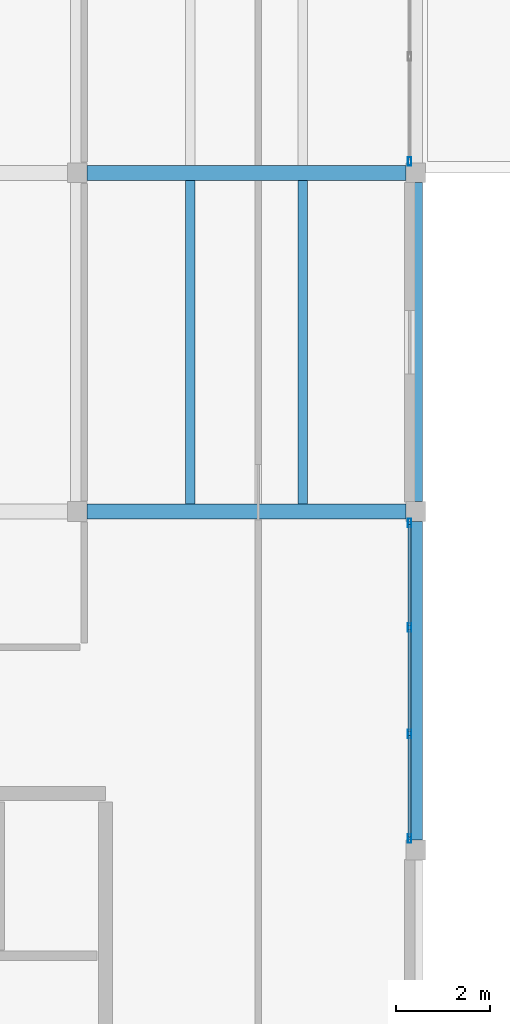
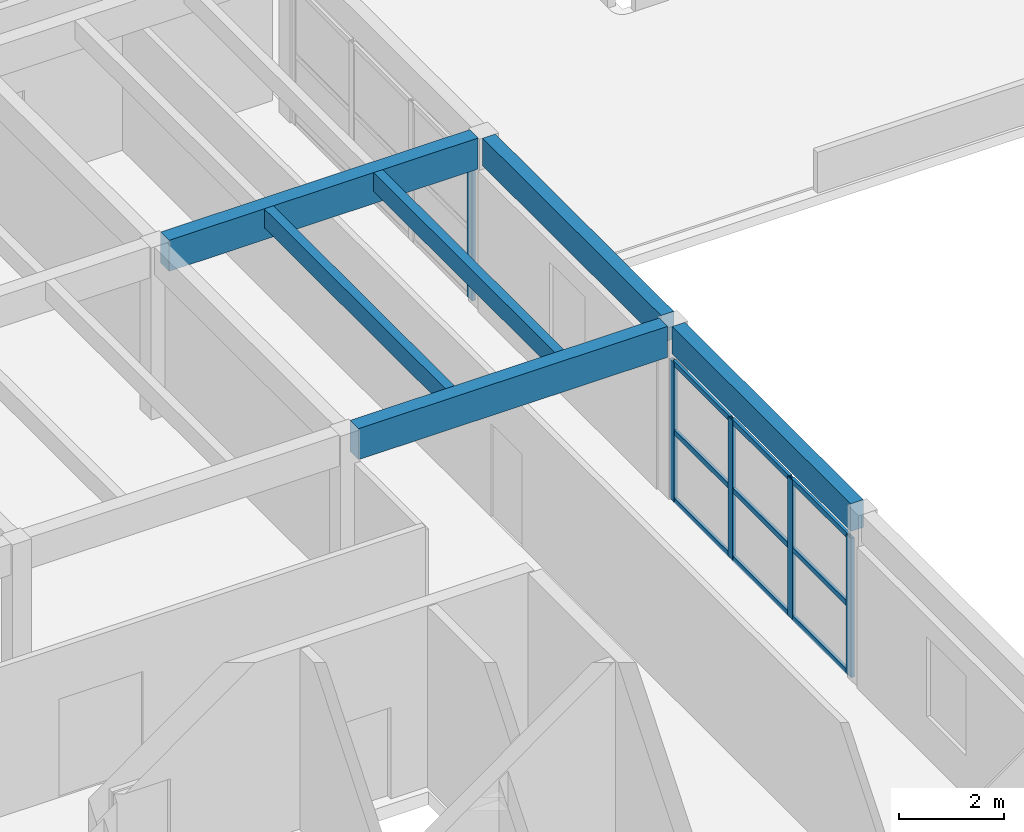
# One storey, part 12 of 68: 14 members, 6 beams, 2 elements without a shape of their own.
"""IFC4 building model written with IfcOpenShell, lengths in metres."""

from ifc_helpers import new_model, si_unit, direction, frame, origin, origin_2d, place, context, subcontext, project, spatial, rectangle, hollow_rectangle, extrude, material, material_profile, profile_set, type_object, element, aggregate, save


model = new_model("IFC4")

# Units and contexts
model_context = context("Model", 3, precision=1e-05, world=origin(), true_north=direction((0.0, 1.0)))
body_context = subcontext(model_context, "Body", "Model", "MODEL_VIEW")
ifc_project = project(units=[si_unit("LENGTHUNIT", "METRE"), si_unit("AREAUNIT", "SQUARE_METRE"), si_unit("VOLUMEUNIT", "CUBIC_METRE"), si_unit("PLANEANGLEUNIT", "RADIAN"), si_unit("MASSUNIT", "GRAM", prefix="KILO")], contexts=[model_context])

# Site, building, storey
site_placement = place(None, origin())
site = spatial("IfcSite", under=ifc_project, at=site_placement, CompositionType="ELEMENT")
building_placement = place(site_placement, origin())
building = spatial("IfcBuilding", under=site, at=building_placement, Name="Bramvelor Terrace Health Centre", CompositionType="ELEMENT")
storey_placement = place(building_placement, frame((0.0, 0.0, 9.300048828125)))
storey = spatial("IfcBuildingStorey", under=building, at=storey_placement, Name="L03", CompositionType="ELEMENT", Elevation=9.300048828125)

# Beams
ifc_material_1 = material(Name="Glulam GL28h", Category="wood")
ifc_material_profile_1 = material_profile(ifc_material_1, rectangle(XDim=0.280029296875, YDim=0.639892578125, at=origin_2d()), Name="GL 280x640")
ifc_profile_set_1 = profile_set([ifc_material_profile_1], Name="Glulam GL28h")
beam_type_1 = type_object("IfcBeamType", Name="BM-GL-G640", PredefinedType="BEAM", material=ifc_profile_set_1)
for number, where, z_axis, x_axis, name in (
    (1, (21.60009765625, 36.2099609375, 3.669921875), (0.0, 1.0, 0.0), (-1.0, 0.0, 0.0), "L03 Floor Girder"),
    (2, (21.60009765625, 43.409912109375, 3.669921875), (0.0, 1.0, 0.0), (-1.0, 0.0, 0.0), "L03 Floor Girder"),
):
    element("IfcBeam", number, at=place(storey_placement, frame(where, z_axis=z_axis, x_axis=x_axis)), inside=storey, type_object=beam_type_1, Name=name, PredefinedType="BEAM", context=body_context, shape_type="SweptSolid", body=[
        extrude(rectangle(XDim=0.280029296875, YDim=0.639892578125, at=origin_2d()), origin(), (0.0, 0.0, 1.0), 6.780029296875),
    ])
ifc_material_2 = material(Name="Glulam GL28h", Category="wood")
ifc_material_profile_2 = material_profile(ifc_material_2, rectangle(XDim=0.320068359375, YDim=0.719970703125, at=origin_2d()), Name="GL 320x720")
ifc_profile_set_2 = profile_set([ifc_material_profile_2], Name="Glulam GL28h")
beam_type_2 = type_object("IfcBeamType", Name="BM-GL-G720", PredefinedType="BEAM", material=ifc_profile_set_2)
for number, where, z_axis, x_axis, name in (
    (3, (14.610107421875, 43.199951171875, 3.6298828125), (1.0, 0.0, 0.0), (0.0, 1.0, 0.0), "L03 Floor Girder"),
    (4, (14.610107421875, 50.39990234375, 3.6298828125), (1.0, 0.0, 0.0), (0.0, 1.0, 0.0), "L03 Floor Girder"),
):
    element("IfcBeam", number, at=place(storey_placement, frame(where, z_axis=z_axis, x_axis=x_axis)), inside=storey, type_object=beam_type_2, Name=name, PredefinedType="BEAM", context=body_context, shape_type="SweptSolid", body=[
        extrude(rectangle(XDim=0.320068359375, YDim=0.719970703125, at=origin_2d()), origin(), (0.0, 0.0, 1.0), 6.77978515625),
    ])
ifc_material_3 = material(Name="Glulam GL28h", Category="wood")
ifc_material_profile_3 = material_profile(ifc_material_3, rectangle(XDim=0.199951171875, YDim=0.43994140625, at=origin_2d()), Name="GL 200x440")
ifc_profile_set_3 = profile_set([ifc_material_profile_3], Name="Glulam GL28h")
beam_type_3 = type_object("IfcBeamType", Name="BM-GL-J440", PredefinedType="JOIST", material=ifc_profile_set_3)
for number, where, z_axis, x_axis, name in (
    (5, (16.800048828125, 43.360107421875, 3.77001953125), (0.0, 1.0, 0.0), (-1.0, 0.0, 0.0), "L03 Secondary Floor Joist"),
    (6, (19.199951171875, 43.360107421875, 3.77001953125), (0.0, 1.0, 0.0), (-1.0, 0.0, 0.0), "L03 Secondary Floor Joist"),
):
    element("IfcBeam", number, at=place(storey_placement, frame(where, z_axis=z_axis, x_axis=x_axis)), inside=storey, type_object=beam_type_3, Name=name, PredefinedType="JOIST", context=body_context, shape_type="SweptSolid", body=[
        extrude(rectangle(XDim=0.199951171875, YDim=0.43994140625, at=origin_2d()), origin(), (0.0, 0.0, 1.0), 6.8798828125),
    ])

# Curtain wall, member
ifc_material_4 = material(Name="Anodized aluminium and double low-E glass", Category="aluminium")
curtain_wall_type = type_object("IfcCurtainWallType", Name="CW-SYS-27", PredefinedType="NOTDEFINED", material=ifc_material_4)
curtain_wall_1_placement = place(storey_placement, origin())
curtain_wall_1 = element("IfcCurtainWall", 7, at=curtain_wall_1_placement, inside=storey, type_object=curtain_wall_type, Name="L03 Unitized Curtain Wall 154", PredefinedType="NOTDEFINED")
ifc_material_5 = material(Name="Anodized aluminium 6063-T6", Category="aluminium")
ifc_material_profile_4 = material_profile(ifc_material_5, hollow_rectangle(XDim=0.074951171875, YDim=0.179931640625, WallThickness=0.00341796875, at=origin_2d()), Name="ALU-MUL 75x180x3.5")
ifc_profile_set_4 = profile_set([ifc_material_profile_4], Name="Anodized aluminium 6063-T6")
member_type_1 = type_object("IfcMemberType", Name="CW-MUL-65x180", PredefinedType="MULLION", material=ifc_profile_set_4)
member_1_placement = place(storey_placement, frame((21.469970703125, 50.642578125, 0.0), z_axis=(0.0, 0.0, 1.0), x_axis=(1.0, 0.0, 0.0)))
member_1 = element("IfcMember", 8, at=member_1_placement, type_object=member_type_1, Name="CW-27 mullion 4", PredefinedType="MULLION", context=body_context, shape_type="SweptSolid", body=[
    extrude(hollow_rectangle(XDim=0.074951171875, YDim=0.179931640625, WallThickness=0.00341796875, at=origin_2d()), origin(), (0.0, 0.0, 1.0), 3.22998046875),
])
aggregate(curtain_wall_1, [member_1])

# Curtain wall, members
curtain_wall_2_placement = place(storey_placement, origin())
curtain_wall_2 = element("IfcCurtainWall", 9, at=curtain_wall_2_placement, inside=storey, type_object=curtain_wall_type, Name="L03 Unitized Curtain Wall 155", PredefinedType="NOTDEFINED")
member_2_placement = place(storey_placement, frame((21.469970703125, 42.95751953125, 0.0), z_axis=(0.0, 0.0, 1.0), x_axis=(1.0, 0.0, 0.0)))
member_2 = element("IfcMember", 10, at=member_2_placement, type_object=member_type_1, Name="CW-27 mullion 1", PredefinedType="MULLION", context=body_context, shape_type="SweptSolid", body=[
    extrude(hollow_rectangle(XDim=0.074951171875, YDim=0.179931640625, WallThickness=0.00341796875, at=origin_2d()), origin(), (0.0, 0.0, 1.0), 3.22998046875),
])
member_3_placement = place(storey_placement, frame((21.469970703125, 40.731689453125, 0.0), z_axis=(0.0, 0.0, 1.0), x_axis=(1.0, 0.0, 0.0)))
member_3 = element("IfcMember", 11, at=member_3_placement, type_object=member_type_1, Name="CW-27 mullion 2", PredefinedType="MULLION", context=body_context, shape_type="SweptSolid", body=[
    extrude(hollow_rectangle(XDim=0.074951171875, YDim=0.179931640625, WallThickness=0.00341796875, at=origin_2d()), origin(), (0.0, 0.0, 1.0), 3.22998046875),
])
member_4_placement = place(storey_placement, frame((21.469970703125, 38.46826171875, 0.0), z_axis=(0.0, 0.0, 1.0), x_axis=(1.0, 0.0, 0.0)))
member_4 = element("IfcMember", 12, at=member_4_placement, type_object=member_type_1, Name="CW-27 mullion 3", PredefinedType="MULLION", context=body_context, shape_type="SweptSolid", body=[
    extrude(hollow_rectangle(XDim=0.074951171875, YDim=0.179931640625, WallThickness=0.00341796875, at=origin_2d()), origin(), (0.0, 0.0, 1.0), 3.22998046875),
])
member_5_placement = place(storey_placement, frame((21.469970703125, 36.242431640625, 0.0), z_axis=(0.0, 0.0, 1.0), x_axis=(1.0, 0.0, 0.0)))
member_5 = element("IfcMember", 13, at=member_5_placement, type_object=member_type_1, Name="CW-27 mullion 4", PredefinedType="MULLION", context=body_context, shape_type="SweptSolid", body=[
    extrude(hollow_rectangle(XDim=0.074951171875, YDim=0.179931640625, WallThickness=0.00341796875, at=origin_2d()), origin(), (0.0, 0.0, 1.0), 3.22998046875),
])
ifc_material_6 = material(Name="Anodized aluminium 6063-T6", Category="aluminium")
ifc_material_profile_5 = material_profile(ifc_material_6, hollow_rectangle(XDim=0.06494140625, YDim=0.1201171875, WallThickness=0.0029296875, at=origin_2d()), Name="ALU-TRN 65x120x3.0")
ifc_profile_set_5 = profile_set([ifc_material_profile_5], Name="Anodized aluminium 6063-T6")
member_type_2 = type_object("IfcMemberType", Name="CW-TRN-65x150", PredefinedType="USERDEFINED", material=ifc_profile_set_5)
member_6_placement = place(storey_placement, frame((21.469970703125, 42.919921875, 0.032470703125), z_axis=(0.0, -1.0, 0.0), x_axis=(1.0, 0.0, 0.0)))
member_6 = element("IfcMember", 14, at=member_6_placement, type_object=member_type_2, Name="CW-27 transom 1.1", ObjectType="TRANSOM", PredefinedType="USERDEFINED", context=body_context, shape_type="SweptSolid", body=[
    extrude(hollow_rectangle(XDim=0.06494140625, YDim=0.1201171875, WallThickness=0.0029296875, at=origin_2d()), origin(), (0.0, 0.0, 1.0), 2.150634765625),
])
member_7_placement = place(storey_placement, frame((21.469970703125, 42.919921875, 1.614990234375), z_axis=(0.0, -1.0, 0.0), x_axis=(1.0, 0.0, 0.0)))
member_7 = element("IfcMember", 15, at=member_7_placement, type_object=member_type_2, Name="CW-27 transom 1.2", ObjectType="TRANSOM", PredefinedType="USERDEFINED", context=body_context, shape_type="SweptSolid", body=[
    extrude(hollow_rectangle(XDim=0.06494140625, YDim=0.1201171875, WallThickness=0.0029296875, at=origin_2d()), origin(), (0.0, 0.0, 1.0), 2.150634765625),
])
member_8_placement = place(storey_placement, frame((21.469970703125, 42.919921875, 3.197509765625), z_axis=(0.0, -1.0, 0.0), x_axis=(1.0, 0.0, 0.0)))
member_8 = element("IfcMember", 16, at=member_8_placement, type_object=member_type_2, Name="CW-27 transom 1.3", ObjectType="TRANSOM", PredefinedType="USERDEFINED", context=body_context, shape_type="SweptSolid", body=[
    extrude(hollow_rectangle(XDim=0.06494140625, YDim=0.1201171875, WallThickness=0.0029296875, at=origin_2d()), origin(), (0.0, 0.0, 1.0), 2.150634765625),
])
member_9_placement = place(storey_placement, frame((21.469970703125, 40.694091796875, 0.032470703125), z_axis=(0.0, -1.0, 0.0), x_axis=(1.0, 0.0, 0.0)))
member_9 = element("IfcMember", 17, at=member_9_placement, type_object=member_type_2, Name="CW-27 transom 2.1", ObjectType="TRANSOM", PredefinedType="USERDEFINED", context=body_context, shape_type="SweptSolid", body=[
    extrude(hollow_rectangle(XDim=0.06494140625, YDim=0.1201171875, WallThickness=0.0029296875, at=origin_2d()), origin(), (0.0, 0.0, 1.0), 2.188232421875),
])
member_10_placement = place(storey_placement, frame((21.469970703125, 40.694091796875, 1.614990234375), z_axis=(0.0, -1.0, 0.0), x_axis=(1.0, 0.0, 0.0)))
member_10 = element("IfcMember", 18, at=member_10_placement, type_object=member_type_2, Name="CW-27 transom 2.2", ObjectType="TRANSOM", PredefinedType="USERDEFINED", context=body_context, shape_type="SweptSolid", body=[
    extrude(hollow_rectangle(XDim=0.06494140625, YDim=0.1201171875, WallThickness=0.0029296875, at=origin_2d()), origin(), (0.0, 0.0, 1.0), 2.188232421875),
])
member_11_placement = place(storey_placement, frame((21.469970703125, 40.694091796875, 3.197509765625), z_axis=(0.0, -1.0, 0.0), x_axis=(1.0, 0.0, 0.0)))
member_11 = element("IfcMember", 19, at=member_11_placement, type_object=member_type_2, Name="CW-27 transom 2.3", ObjectType="TRANSOM", PredefinedType="USERDEFINED", context=body_context, shape_type="SweptSolid", body=[
    extrude(hollow_rectangle(XDim=0.06494140625, YDim=0.1201171875, WallThickness=0.0029296875, at=origin_2d()), origin(), (0.0, 0.0, 1.0), 2.188232421875),
])
member_12_placement = place(storey_placement, frame((21.469970703125, 38.430908203125, 0.032470703125), z_axis=(0.0, -1.0, 0.0), x_axis=(1.0, 0.0, 0.0)))
member_12 = element("IfcMember", 20, at=member_12_placement, type_object=member_type_2, Name="CW-27 transom 3.1", ObjectType="TRANSOM", PredefinedType="USERDEFINED", context=body_context, shape_type="SweptSolid", body=[
    extrude(hollow_rectangle(XDim=0.06494140625, YDim=0.1201171875, WallThickness=0.0029296875, at=origin_2d()), origin(), (0.0, 0.0, 1.0), 2.15087890625),
])
member_13_placement = place(storey_placement, frame((21.469970703125, 38.430908203125, 1.614990234375), z_axis=(0.0, -1.0, 0.0), x_axis=(1.0, 0.0, 0.0)))
member_13 = element("IfcMember", 21, at=member_13_placement, type_object=member_type_2, Name="CW-27 transom 3.2", ObjectType="TRANSOM", PredefinedType="USERDEFINED", context=body_context, shape_type="SweptSolid", body=[
    extrude(hollow_rectangle(XDim=0.06494140625, YDim=0.1201171875, WallThickness=0.0029296875, at=origin_2d()), origin(), (0.0, 0.0, 1.0), 2.15087890625),
])
member_14_placement = place(storey_placement, frame((21.469970703125, 38.430908203125, 3.197509765625), z_axis=(0.0, -1.0, 0.0), x_axis=(1.0, 0.0, 0.0)))
member_14 = element("IfcMember", 22, at=member_14_placement, type_object=member_type_2, Name="CW-27 transom 3.3", ObjectType="TRANSOM", PredefinedType="USERDEFINED", context=body_context, shape_type="SweptSolid", body=[
    extrude(hollow_rectangle(XDim=0.06494140625, YDim=0.1201171875, WallThickness=0.0029296875, at=origin_2d()), origin(), (0.0, 0.0, 1.0), 2.15087890625),
])
aggregate(curtain_wall_2, [member_2, member_3, member_4, member_5, member_6, member_7, member_8, member_9, member_10, member_11, member_12, member_13, member_14])

save(model, "model.ifc")
